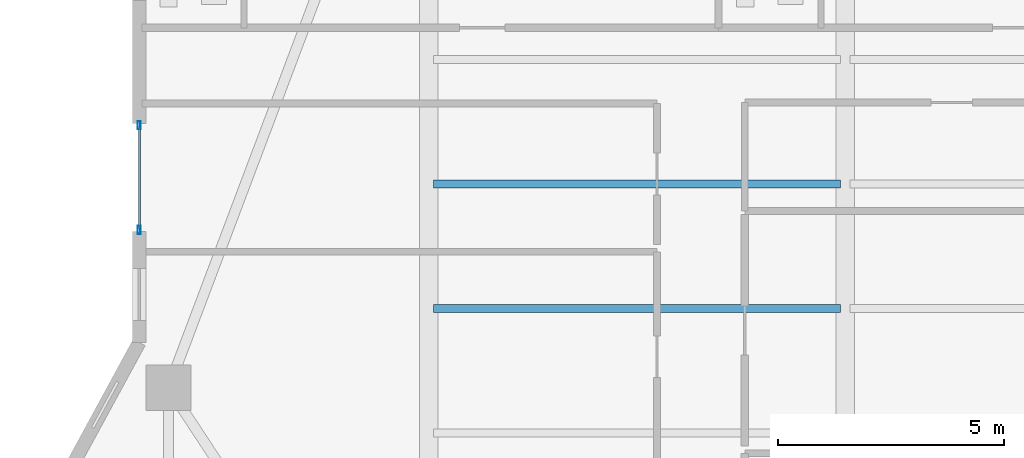
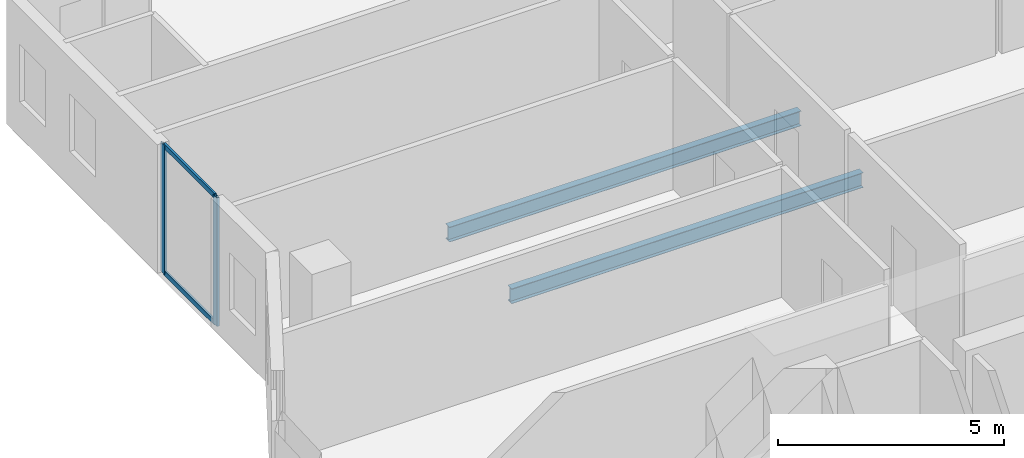
# One storey, part 6 of 23: 4 members, 2 beams, 1 element without a shape of its own.
"""IFC4 building model written with IfcOpenShell, lengths in metres."""

from ifc_helpers import new_model, si_unit, direction, frame, origin, origin_2d, place, context, subcontext, project, spatial, hollow_rectangle, i_section, extrude, material, layer, layer_set, material_profile, profile_set, type_object, element, aggregate, save


model = new_model("IFC4")

# Units and contexts
model_context = context("Model", 3, precision=1e-05, world=origin(), true_north=direction((0.0, 1.0)))
body_context = subcontext(model_context, "Body", "Model", "MODEL_VIEW")
ifc_project = project(units=[si_unit("LENGTHUNIT", "METRE"), si_unit("AREAUNIT", "SQUARE_METRE"), si_unit("VOLUMEUNIT", "CUBIC_METRE"), si_unit("PLANEANGLEUNIT", "RADIAN"), si_unit("MASSUNIT", "GRAM", prefix="KILO")], contexts=[model_context])

# Site, building, storey
site_placement = place(None, origin())
site = spatial("IfcSite", under=ifc_project, at=site_placement, CompositionType="ELEMENT")
building_placement = place(site_placement, origin())
building = spatial("IfcBuilding", under=site, at=building_placement, Name="Zuhayl Quay Hotel", CompositionType="ELEMENT")
storey_placement = place(building_placement, frame((0.0, 0.0, 261.85009765625)))
storey = spatial("IfcBuildingStorey", under=building, at=storey_placement, Name="L66", CompositionType="ELEMENT", Elevation=261.85009765625)

# Beams
ifc_material_1 = material(Name="Steel ASTM A992 Grade 50", Category="steel")
ifc_material_profile_1 = material_profile(ifc_material_1, i_section(OverallWidth=0.177978515625, OverallDepth=0.404052734375, WebThickness=0.007568359375, FlangeThickness=0.010986328125, at=origin_2d()), Name="W16X36")
ifc_profile_set_1 = profile_set([ifc_material_profile_1], Name="Steel ASTM A992 Grade 50")
beam_type = type_object("IfcBeamType", Name="BM_J3_W16X36", PredefinedType="JOIST", material=ifc_profile_set_1)
for number, where, z_axis, x_axis, name in (
    (1, (-13.694091796875, 24.85009765625, -0.422119140625), (1.0, 0.0, 0.0), (0.0, 1.0, 0.0), "L66 Floor Beam FJ_L66_4_1"),
    (2, (-13.694091796875, 27.60009765625, -0.422119140625), (1.0, 0.0, 0.0), (0.0, 1.0, 0.0), "L66 Floor Beam FJ_L66_5_1"),
):
    element("IfcBeam", number, at=place(storey_placement, frame(where, z_axis=z_axis, x_axis=x_axis)), inside=storey, type_object=beam_type, Name=name, PredefinedType="JOIST", context=body_context, shape_type="SweptSolid", body=[
        extrude(i_section(OverallWidth=0.177978515625, OverallDepth=0.404052734375, WebThickness=0.007568359375, FlangeThickness=0.010986328125, at=origin_2d()), origin(), (0.0, 0.0, 1.0), 8.988037109375),
    ])

# Curtain wall, members
ifc_material_2 = material(Name="Anodised Aluminium 6063-T6", Category="aluminium")
ifc_layer = layer(ifc_material_2, 0.169921875, Name="Anodised Aluminium 6063-T6", Category="aluminium")
ifc_layer_set = layer_set([ifc_layer], Name="Anodised Aluminium 6063-T6")
curtain_wall_type = type_object("IfcCurtainWallType", Name="CW_SYS_Z4", PredefinedType="USERDEFINED", material=ifc_layer_set)
curtain_wall_placement = place(storey_placement, origin())
curtain_wall = element("IfcCurtainWall", 3, at=curtain_wall_placement, inside=storey, type_object=curtain_wall_type, Name="L66 Curtain Wall ENV_L66_E05_CW1", ObjectType="UNITISED CURTAIN WALL", PredefinedType="USERDEFINED")
ifc_material_3 = material(Name="Black-anodised aluminium 6063-T6", Category="aluminium")
ifc_material_profile_2 = material_profile(ifc_material_3, hollow_rectangle(XDim=0.06494140625, YDim=0.179931640625, WallThickness=0.00341796875, at=origin_2d()), Name="ALU180X65")
ifc_profile_set_2 = profile_set([ifc_material_profile_2], Name="Black-anodised aluminium 6063-T6")
member_type_1 = type_object("IfcMemberType", Name="MB_CW_MUL_180", PredefinedType="MULLION", material=ifc_profile_set_2)
member_1_placement = place(storey_placement, frame((-20.199951171875, 26.58251953125, 0.0), z_axis=(0.0, 0.0, 1.0), x_axis=(-1.0, 0.0, 0.0)))
member_1 = element("IfcMember", 4, at=member_1_placement, type_object=member_type_1, Name="CW-Z4 mullion 1", PredefinedType="MULLION", context=body_context, shape_type="SweptSolid", body=[
    extrude(hollow_rectangle(XDim=0.06494140625, YDim=0.179931640625, WallThickness=0.00341796875, at=origin_2d()), origin(), (0.0, 0.0, 1.0), 3.47998046875),
])
member_2_placement = place(storey_placement, frame((-20.199951171875, 28.8974609375, 0.0), z_axis=(0.0, 0.0, 1.0), x_axis=(-1.0, 0.0, 0.0)))
member_2 = element("IfcMember", 5, at=member_2_placement, type_object=member_type_1, Name="CW-Z4 mullion 2", PredefinedType="MULLION", context=body_context, shape_type="SweptSolid", body=[
    extrude(hollow_rectangle(XDim=0.06494140625, YDim=0.179931640625, WallThickness=0.00341796875, at=origin_2d()), origin(), (0.0, 0.0, 1.0), 3.47998046875),
])
ifc_material_profile_3 = material_profile(ifc_material_3, hollow_rectangle(XDim=0.054931640625, YDim=0.1298828125, WallThickness=0.0029296875, at=origin_2d()), Name="ALU130X55")
ifc_profile_set_3 = profile_set([ifc_material_profile_3], Name="Black-anodised aluminium 6063-T6")
member_type_2 = type_object("IfcMemberType", Name="MB_CW_TRN_130", PredefinedType="USERDEFINED", material=ifc_profile_set_3)
member_3_placement = place(storey_placement, frame((-20.199951171875, 26.614990234375, 0.02734375), z_axis=(0.0, 1.0, 0.0), x_axis=(-1.0, 0.0, 0.0)))
member_3 = element("IfcMember", 6, at=member_3_placement, type_object=member_type_2, Name="CW-Z4 transom 1.1", ObjectType="TRANSOM", PredefinedType="USERDEFINED", context=body_context, shape_type="SweptSolid", body=[
    extrude(hollow_rectangle(XDim=0.054931640625, YDim=0.1298828125, WallThickness=0.0029296875, at=origin_2d()), origin(), (0.0, 0.0, 1.0), 2.25),
])
member_4_placement = place(storey_placement, frame((-20.199951171875, 26.614990234375, 3.452392578125), z_axis=(0.0, 1.0, 0.0), x_axis=(-1.0, 0.0, 0.0)))
member_4 = element("IfcMember", 7, at=member_4_placement, type_object=member_type_2, Name="CW-Z4 transom 1.2", ObjectType="TRANSOM", PredefinedType="USERDEFINED", context=body_context, shape_type="SweptSolid", body=[
    extrude(hollow_rectangle(XDim=0.054931640625, YDim=0.1298828125, WallThickness=0.0029296875, at=origin_2d()), origin(), (0.0, 0.0, 1.0), 2.25),
])
aggregate(curtain_wall, [member_1, member_2, member_3, member_4])

save(model, "model.ifc")
